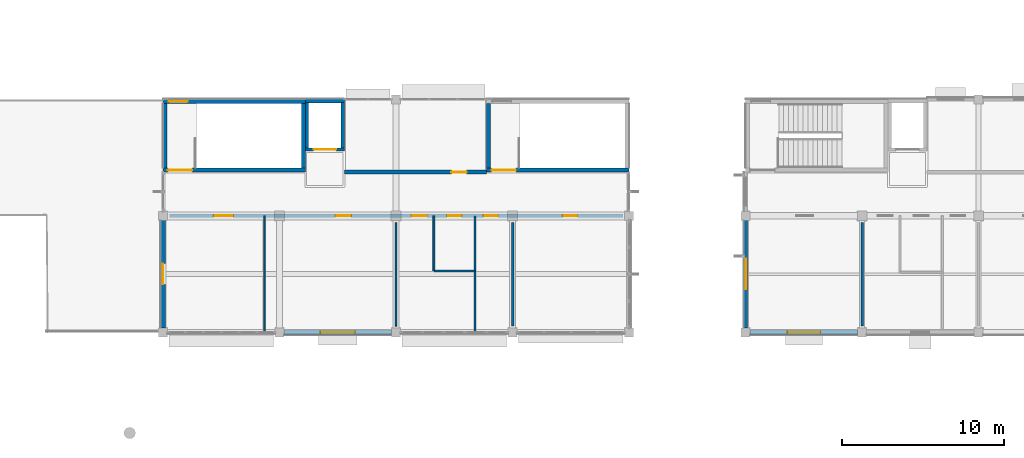
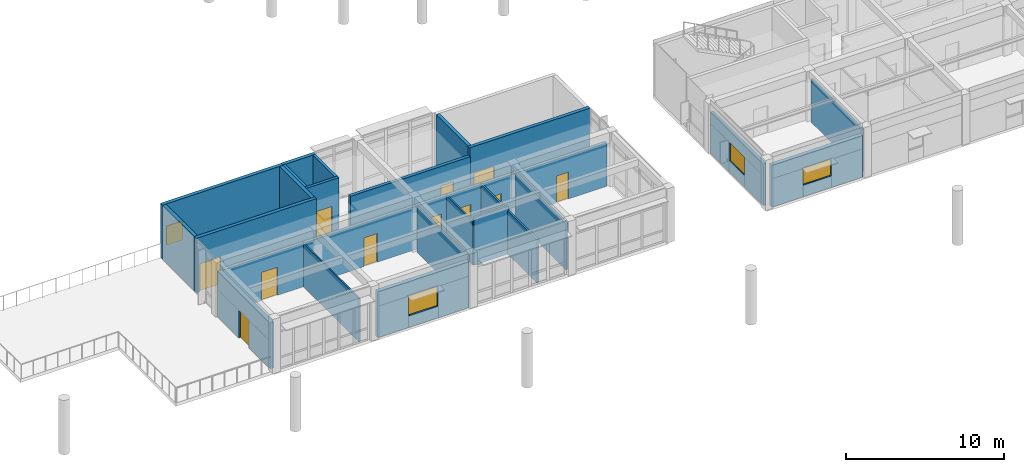
# One storey, part 18 of 41: 23 walls, 11 doors, 4 windows, 15 openings.
"""IFC4 building model written with IfcOpenShell, lengths in metres."""

from ifc_helpers import new_model, si_unit, direction, frame, frame_2d, origin, place, context, subcontext, project, spatial, rectangle, extrude, material, layer, layer_set, type_object, element, fill, save


model = new_model("IFC4")

# Units and contexts
model_context = context("Model", 3, precision=1e-05, world=origin(), true_north=direction((0.0, 1.0)))
body_context = subcontext(model_context, "Body", "Model", "MODEL_VIEW")
ifc_project = project(units=[si_unit("LENGTHUNIT", "METRE"), si_unit("AREAUNIT", "SQUARE_METRE"), si_unit("VOLUMEUNIT", "CUBIC_METRE"), si_unit("PLANEANGLEUNIT", "RADIAN"), si_unit("MASSUNIT", "GRAM", prefix="KILO")], contexts=[model_context])

# Site, building, storey
site_placement = place(None, origin())
site = spatial("IfcSite", under=ifc_project, at=site_placement, CompositionType="ELEMENT")
building_placement = place(site_placement, origin())
building = spatial("IfcBuilding", under=site, at=building_placement, Name="Namkhue Oval Health Centre", CompositionType="ELEMENT")
storey_placement = place(building_placement, frame((0.0, 0.0, 13.800048828125)))
storey = spatial("IfcBuildingStorey", under=building, at=storey_placement, Name="L03", CompositionType="ELEMENT", Elevation=13.800048828125)

# Wall, opening, window
ifc_material_1 = material(Name="Autoclaved aerated concrete blockwork M7.5", Category="masonry")
ifc_layer_1 = layer(ifc_material_1, 0.2099609375)
ifc_layer_set_1 = layer_set([ifc_layer_1], Name="Autoclaved aerated concrete blockwork M7.5")
wall_type_1 = type_object("IfcWallType", Name="EXTERIOR ENVELOPE WALL 210", PredefinedType="STANDARD", material=ifc_layer_set_1)
wall_1_placement = place(storey_placement, frame((93.60009765625, 21.3291015625, 0.0), z_axis=(0.0, 0.0, 1.0), x_axis=(0.0, -1.0, 0.0)))
wall_1 = element("IfcWall", 1, at=wall_1_placement, inside=storey, type_object=wall_type_1, Name="Volume V5 L03 Exterior Envelope Wall 148", PredefinedType="STANDARD", context=body_context, shape_type="SweptSolid", body=[
    extrude(rectangle(XDim=6.658203125, YDim=0.2099609375, at=frame_2d((3.3291015625, 0.0))), origin(), (0.0, 0.0, 1.0), 3.22998046875),
])
opening_1_placement = place(wall_1_placement, frame((2.37890625, 0.0, 0.89990234375)))
opening_1 = element("IfcOpeningElement", 2, at=opening_1_placement, cuts=wall_1, Name="Opening WN-18", PredefinedType="OPENING", context=body_context, shape_type="SweptSolid", body=[
    extrude(rectangle(XDim=1.89990234375, YDim=1.419921875, at=frame_2d((0.949951171875, 0.7099609375))), frame((0.0, 0.114990234375, 0.0), z_axis=(0.0, -1.0, 0.0), x_axis=(1.0, 0.0, 0.0)), (0.0, 0.0, 1.0), 0.22998046875),
])
ifc_material_2 = material(Name="Thermally broken low-E laminated double glazing", Category="glass")
window_type_1 = type_object("IfcWindowType", Name="EXTERIOR WINDOW 1900X1420", PartitioningType="SINGLE_PANEL", PredefinedType="WINDOW", material=ifc_material_2)
window_1_placement = place(opening_1_placement, origin())
window_1 = element("IfcWindow", 3, at=window_1_placement, inside=storey, type_object=window_type_1, Name="Volume V5 L03 Exterior Window 108", OverallHeight=1.419921875, OverallWidth=1.89990234375, PartitioningType="SINGLE_PANEL", PredefinedType="WINDOW", context=body_context, shape_type="SweptSolid", body=[
    extrude(rectangle(XDim=1.89990234375, YDim=1.419921875, at=frame_2d((0.949951171875, 0.7099609375))), frame((0.0, 0.030029296875, 0.0), z_axis=(0.0, -1.0, 0.0), x_axis=(1.0, 0.0, 0.0)), (0.0, 0.0, 1.0), 0.06005859375),
])
fill(opening_1, window_1)

ifc_layer_2 = layer(ifc_material_1, 0.280029296875)
ifc_layer_set_2 = layer_set([ifc_layer_2], Name="Autoclaved aerated concrete blockwork M7.5")
wall_type_2 = type_object("IfcWallType", Name="EXTERIOR ENVELOPE WALL 280", PredefinedType="STANDARD", material=ifc_layer_set_2)
wall_2_placement = place(storey_placement, frame((93.87109375, 14.39990234375, 0.0), z_axis=(0.0, 0.0, 1.0), x_axis=(1.0, 0.0, 0.0)))
wall_2 = element("IfcWall", 4, at=wall_2_placement, inside=storey, type_object=wall_type_2, Name="Volume V5 L03 Exterior Envelope Wall 139", PredefinedType="STANDARD", context=body_context, shape_type="SweptSolid", body=[
    extrude(rectangle(XDim=6.657958984375, YDim=0.280029296875, at=frame_2d((3.3291015625, 0.0))), origin(), (0.0, 0.0, 1.0), 3.22998046875),
])
opening_2_placement = place(wall_2_placement, frame((2.303955078125, 0.0, 0.89990234375)))
opening_2 = element("IfcOpeningElement", 5, at=opening_2_placement, cuts=wall_2, Name="Opening WN-10", PredefinedType="OPENING", context=body_context, shape_type="SweptSolid", body=[
    extrude(rectangle(XDim=2.050048828125, YDim=1.300048828125, at=frame_2d((1.02490234375, 0.64990234375))), frame((0.0, 0.14990234375, 0.0), z_axis=(0.0, -1.0, 0.0), x_axis=(1.0, 0.0, 0.0)), (0.0, 0.0, 1.0), 0.300048828125),
])
window_type_2 = type_object("IfcWindowType", Name="EXTERIOR WINDOW 2050X1300", PartitioningType="SINGLE_PANEL", PredefinedType="WINDOW", material=ifc_material_2)
window_2_placement = place(opening_2_placement, origin())
window_2 = element("IfcWindow", 6, at=window_2_placement, inside=storey, type_object=window_type_2, Name="Volume V5 L03 Exterior Window 100", OverallHeight=1.300048828125, OverallWidth=2.050048828125, PartitioningType="SINGLE_PANEL", PredefinedType="WINDOW", context=body_context, shape_type="SweptSolid", body=[
    extrude(rectangle(XDim=2.050048828125, YDim=1.300048828125, at=frame_2d((1.02490234375, 0.64990234375))), frame((0.0, 0.030029296875, 0.0), z_axis=(0.0, -1.0, 0.0), x_axis=(1.0, 0.0, 0.0)), (0.0, 0.0, 1.0), 0.06005859375),
])
fill(opening_2, window_2)

ifc_layer_3 = layer(ifc_material_1, 0.2900390625)
ifc_layer_set_3 = layer_set([ifc_layer_3], Name="Autoclaved aerated concrete blockwork M7.5")
wall_type_3 = type_object("IfcWallType", Name="EXTERIOR ENVELOPE WALL 290", PredefinedType="STANDARD", material=ifc_layer_set_3)
wall_3_placement = place(storey_placement, frame((65.071044921875, 14.39990234375, 0.0), z_axis=(0.0, 0.0, 1.0), x_axis=(1.0, 0.0, 0.0)))
wall_3 = element("IfcWall", 7, at=wall_3_placement, inside=storey, type_object=wall_type_3, Name="Volume V4 L03 Exterior Envelope Wall 108", PredefinedType="STANDARD", context=body_context, shape_type="SweptSolid", body=[
    extrude(rectangle(XDim=6.657958984375, YDim=0.2900390625, at=frame_2d((3.3291015625, 0.0))), origin(), (0.0, 0.0, 1.0), 3.550048828125),
])
opening_3_placement = place(wall_3_placement, frame((2.25390625, 0.0, 0.89990234375)))
opening_3 = element("IfcOpeningElement", 8, at=opening_3_placement, cuts=wall_3, Name="Opening WN-29", PredefinedType="OPENING", context=body_context, shape_type="SweptSolid", body=[
    extrude(rectangle(XDim=2.14990234375, YDim=1.5400390625, at=frame_2d((1.074951171875, 0.77001953125))), frame((0.0, 0.155029296875, 0.0), z_axis=(0.0, -1.0, 0.0), x_axis=(1.0, 0.0, 0.0)), (0.0, 0.0, 1.0), 0.31005859375),
])
window_type_3 = type_object("IfcWindowType", Name="EXTERIOR WINDOW 2150X1540", PartitioningType="SINGLE_PANEL", PredefinedType="WINDOW", material=ifc_material_2)
window_3_placement = place(opening_3_placement, origin())
window_3 = element("IfcWindow", 9, at=window_3_placement, inside=storey, type_object=window_type_3, Name="Volume V4 L03 Exterior Window 74", OverallHeight=1.5400390625, OverallWidth=2.14990234375, PartitioningType="SINGLE_PANEL", PredefinedType="WINDOW", context=body_context, shape_type="SweptSolid", body=[
    extrude(rectangle(XDim=2.14990234375, YDim=1.5400390625, at=frame_2d((1.074951171875, 0.77001953125))), frame((0.0, 0.030029296875, 0.0), z_axis=(0.0, -1.0, 0.0), x_axis=(1.0, 0.0, 0.0)), (0.0, 0.0, 1.0), 0.06005859375),
])
fill(opening_3, window_3)

# Wall, opening, door
ifc_layer_4 = layer(ifc_material_1, 0.300048828125)
ifc_layer_set_4 = layer_set([ifc_layer_4], Name="Autoclaved aerated concrete blockwork M7.5")
wall_type_4 = type_object("IfcWallType", Name="EXTERIOR ENVELOPE WALL 300", PredefinedType="STANDARD", material=ifc_layer_set_4)
wall_4_placement = place(storey_placement, frame((57.60009765625, 21.3291015625, 0.0), z_axis=(0.0, 0.0, 1.0), x_axis=(0.0, -1.0, 0.0)))
wall_4 = element("IfcWall", 10, at=wall_4_placement, inside=storey, type_object=wall_type_4, Name="Volume V4 L03 Exterior Envelope Wall 109", PredefinedType="STANDARD", context=body_context, shape_type="SweptSolid", body=[
    extrude(rectangle(XDim=6.658203125, YDim=0.300048828125, at=frame_2d((3.3291015625, 0.0))), origin(), (0.0, 0.0, 1.0), 3.550048828125),
])
opening_4_placement = place(wall_4_placement, frame((2.68896484375, 0.0, 0.0)))
opening_4 = element("IfcOpeningElement", 11, at=opening_4_placement, cuts=wall_4, Name="Opening TD-03", PredefinedType="OPENING", context=body_context, shape_type="SweptSolid", body=[
    extrude(rectangle(XDim=1.280029296875, YDim=2.14990234375, at=frame_2d((0.64013671875, 1.074951171875))), frame((0.0, 0.159912109375, 0.0), z_axis=(0.0, -1.0, 0.0), x_axis=(1.0, 0.0, 0.0)), (0.0, 0.0, 1.0), 0.320068359375),
])
ifc_material_3 = material(Name="Anodised aluminium glazed entrance door", Category="aluminium")
door_type_1 = type_object("IfcDoorType", Name="TERRACE DOOR 1280X2150", OperationType="NOTDEFINED", PredefinedType="DOOR", material=ifc_material_3)
door_1_placement = place(opening_4_placement, frame((1.280029296875, 0.0, 0.0), z_axis=(0.0, 0.0, 1.0), x_axis=(-1.0, 0.0, 0.0)))
door_1 = element("IfcDoor", 12, at=door_1_placement, inside=storey, type_object=door_type_1, Name="Volume V4 L03 Roof Terrace Door 10", OperationType="SINGLE_SWING_LEFT", OverallHeight=2.14990234375, OverallWidth=1.280029296875, PredefinedType="DOOR", context=body_context, shape_type="SweptSolid", body=[
    extrude(rectangle(XDim=1.280029296875, YDim=2.14990234375, at=frame_2d((0.64013671875, 1.074951171875))), frame((0.0, 0.02490234375, 0.0), z_axis=(0.0, -1.0, 0.0), x_axis=(1.0, 0.0, 0.0)), (0.0, 0.0, 1.0), 0.050048828125),
])
fill(opening_4, door_1)

# Wall, openings, doors
ifc_material_4 = material(Name="Lead-lined barium plasterboard radiation partition", Category="gypsum")
ifc_layer_5 = layer(ifc_material_4, 0.235107421875)
ifc_layer_set_5 = layer_set([ifc_layer_5], Name="Lead-lined barium plasterboard radiation partition")
wall_type_5 = type_object("IfcWallType", Name="FIRE PARTITION WALL 235", PredefinedType="PARTITIONING", material=ifc_layer_set_5)
wall_5_placement = place(storey_placement, frame((57.989013671875, 21.60009765625, 0.0), z_axis=(0.0, 0.0, 1.0), x_axis=(1.0, 0.0, 0.0)))
wall_5 = element("IfcWall", 13, at=wall_5_placement, inside=storey, type_object=wall_type_5, Name="Volume V4 L03 Clinical Partition Wall 196", PredefinedType="PARTITIONING", context=body_context, shape_type="SweptSolid", body=[
    extrude(rectangle(XDim=28.02197265625, YDim=0.235107421875, at=frame_2d((14.010986328125, 0.0))), origin(), (0.0, 0.0, 1.0), 3.349853515625),
])
opening_5_placement = place(wall_5_placement, frame((2.758056640625, 0.0, 0.0)))
opening_5 = element("IfcOpeningElement", 14, at=opening_5_placement, cuts=wall_5, Name="Opening CD-18", PredefinedType="OPENING", context=body_context, shape_type="SweptSolid", body=[
    extrude(rectangle(XDim=1.179931640625, YDim=2.179931640625, at=frame_2d((0.58984375, 1.08984375))), frame((0.0, 0.12744140625, 0.0), z_axis=(0.0, -1.0, 0.0), x_axis=(1.0, 0.0, 0.0)), (0.0, 0.0, 1.0), 0.255126953125),
])
opening_6_placement = place(wall_5_placement, frame((10.27001953125, 0.0, 0.0)))
opening_6 = element("IfcOpeningElement", 15, at=opening_6_placement, cuts=wall_5, Name="Opening CD-19", PredefinedType="OPENING", context=body_context, shape_type="SweptSolid", body=[
    extrude(rectangle(XDim=0.9599609375, YDim=2.22998046875, at=frame_2d((0.47998046875, 1.114990234375))), frame((0.0, 0.12744140625, 0.0), z_axis=(0.0, -1.0, 0.0), x_axis=(1.0, 0.0, 0.0)), (0.0, 0.0, 1.0), 0.255126953125),
])
opening_7_placement = place(wall_5_placement, frame((14.981201171875, 0.0, 0.0)))
opening_7 = element("IfcOpeningElement", 16, at=opening_7_placement, cuts=wall_5, Name="Opening CD-02", PredefinedType="OPENING", context=body_context, shape_type="SweptSolid", body=[
    extrude(rectangle(XDim=0.93994140625, YDim=2.080078125, at=frame_2d((0.469970703125, 1.0400390625))), frame((0.0, 0.12744140625, 0.0), z_axis=(0.0, -1.0, 0.0), x_axis=(1.0, 0.0, 0.0)), (0.0, 0.0, 1.0), 0.255126953125),
])
opening_8_placement = place(wall_5_placement, frame((17.171142578125, 0.0, 0.0)))
opening_8 = element("IfcOpeningElement", 17, at=opening_8_placement, cuts=wall_5, Name="Opening CD-01", PredefinedType="OPENING", context=body_context, shape_type="SweptSolid", body=[
    extrude(rectangle(XDim=0.89990234375, YDim=2.080078125, at=frame_2d((0.449951171875, 1.0400390625))), frame((0.0, 0.12744140625, 0.0), z_axis=(0.0, -1.0, 0.0), x_axis=(1.0, 0.0, 0.0)), (0.0, 0.0, 1.0), 0.255126953125),
])
opening_9_placement = place(wall_5_placement, frame((19.401123046875, 0.0, 0.0)))
opening_9 = element("IfcOpeningElement", 18, at=opening_9_placement, cuts=wall_5, Name="Opening CD-07", PredefinedType="OPENING", context=body_context, shape_type="SweptSolid", body=[
    extrude(rectangle(XDim=0.89990234375, YDim=2.1298828125, at=frame_2d((0.449951171875, 1.06494140625))), frame((0.0, 0.12744140625, 0.0), z_axis=(0.0, -1.0, 0.0), x_axis=(1.0, 0.0, 0.0)), (0.0, 0.0, 1.0), 0.255126953125),
])
opening_10_placement = place(wall_5_placement, frame((24.318115234375, 0.0, 0.0)))
opening_10 = element("IfcOpeningElement", 19, at=opening_10_placement, cuts=wall_5, Name="Opening CD-01", PredefinedType="OPENING", context=body_context, shape_type="SweptSolid", body=[
    extrude(rectangle(XDim=0.89990234375, YDim=2.080078125, at=frame_2d((0.449951171875, 1.0400390625))), frame((0.0, 0.12744140625, 0.0), z_axis=(0.0, -1.0, 0.0), x_axis=(1.0, 0.0, 0.0)), (0.0, 0.0, 1.0), 0.255126953125),
])
ifc_material_5 = material(Name="High-pressure laminate timber clinical door", Category="wood")
door_type_2 = type_object("IfcDoorType", Name="CLINICAL DOOR 1180X2180", OperationType="NOTDEFINED", PredefinedType="DOOR", material=ifc_material_5)
door_2_placement = place(opening_5_placement, frame((1.179931640625, 0.0, 0.0), z_axis=(0.0, 0.0, 1.0), x_axis=(-1.0, 0.0, 0.0)))
door_2 = element("IfcDoor", 20, at=door_2_placement, inside=storey, type_object=door_type_2, Name="Volume V4 L03 Surgical Terrace Staff Lounge Door 169", OperationType="SINGLE_SWING_RIGHT", OverallHeight=2.179931640625, OverallWidth=1.179931640625, PredefinedType="DOOR", context=body_context, shape_type="SweptSolid", body=[
    extrude(rectangle(XDim=1.179931640625, YDim=2.179931640625, at=frame_2d((0.58984375, 1.08984375))), frame((0.0, 0.02490234375, 0.0), z_axis=(0.0, -1.0, 0.0), x_axis=(1.0, 0.0, 0.0)), (0.0, 0.0, 1.0), 0.050048828125),
])
fill(opening_5, door_2)
door_type_3 = type_object("IfcDoorType", Name="CLINICAL DOOR 900X2080", OperationType="NOTDEFINED", PredefinedType="DOOR", material=ifc_material_5)
door_3_placement = place(opening_8_placement, frame((0.89990234375, 0.0, 0.0), z_axis=(0.0, 0.0, 1.0), x_axis=(-1.0, 0.0, 0.0)))
door_3 = element("IfcDoor", 21, at=door_3_placement, inside=storey, type_object=door_type_3, Name="Volume V4 L03 Accessible WC Door 172", OperationType="SINGLE_SWING_LEFT", OverallHeight=2.080078125, OverallWidth=0.89990234375, PredefinedType="DOOR", context=body_context, shape_type="SweptSolid", body=[
    extrude(rectangle(XDim=0.89990234375, YDim=2.080078125, at=frame_2d((0.449951171875, 1.0400390625))), frame((0.0, 0.02490234375, 0.0), z_axis=(0.0, -1.0, 0.0), x_axis=(1.0, 0.0, 0.0)), (0.0, 0.0, 1.0), 0.050048828125),
])
fill(opening_8, door_3)
door_4_placement = place(opening_10_placement, frame((0.89990234375, 0.0, 0.0), z_axis=(0.0, 0.0, 1.0), x_axis=(-1.0, 0.0, 0.0)))
door_4 = element("IfcDoor", 22, at=door_4_placement, inside=storey, type_object=door_type_3, Name="Volume V4 L03 Sterile Bulk Medical Store Door 174", OperationType="SINGLE_SWING_LEFT", OverallHeight=2.080078125, OverallWidth=0.89990234375, PredefinedType="DOOR", context=body_context, shape_type="SweptSolid", body=[
    extrude(rectangle(XDim=0.89990234375, YDim=2.080078125, at=frame_2d((0.449951171875, 1.0400390625))), frame((0.0, 0.02490234375, 0.0), z_axis=(0.0, -1.0, 0.0), x_axis=(1.0, 0.0, 0.0)), (0.0, 0.0, 1.0), 0.050048828125),
])
fill(opening_10, door_4)
door_type_4 = type_object("IfcDoorType", Name="CLINICAL DOOR 900X2130", OperationType="NOTDEFINED", PredefinedType="DOOR", material=ifc_material_5)
door_5_placement = place(opening_9_placement, frame((0.89990234375, 0.0, 0.0), z_axis=(0.0, 0.0, 1.0), x_axis=(-1.0, 0.0, 0.0)))
door_5 = element("IfcDoor", 23, at=door_5_placement, inside=storey, type_object=door_type_4, Name="Volume V4 L03 Staff Washroom Door 173", OperationType="SINGLE_SWING_RIGHT", OverallHeight=2.1298828125, OverallWidth=0.89990234375, PredefinedType="DOOR", context=body_context, shape_type="SweptSolid", body=[
    extrude(rectangle(XDim=0.89990234375, YDim=2.1298828125, at=frame_2d((0.449951171875, 1.06494140625))), frame((0.0, 0.02490234375, 0.0), z_axis=(0.0, -1.0, 0.0), x_axis=(1.0, 0.0, 0.0)), (0.0, 0.0, 1.0), 0.050048828125),
])
fill(opening_9, door_5)
door_type_5 = type_object("IfcDoorType", Name="CLINICAL DOOR 940X2080", OperationType="NOTDEFINED", PredefinedType="DOOR", material=ifc_material_5)
door_6_placement = place(opening_7_placement, frame((0.93994140625, 0.0, 0.0), z_axis=(0.0, 0.0, 1.0), x_axis=(-1.0, 0.0, 0.0)))
door_6 = element("IfcDoor", 24, at=door_6_placement, inside=storey, type_object=door_type_5, Name="Volume V4 L03 Surgical Clean Instrument Utility Door 171", OperationType="SINGLE_SWING_LEFT", OverallHeight=2.080078125, OverallWidth=0.93994140625, PredefinedType="DOOR", context=body_context, shape_type="SweptSolid", body=[
    extrude(rectangle(XDim=0.93994140625, YDim=2.080078125, at=frame_2d((0.469970703125, 1.0400390625))), frame((0.0, 0.02490234375, 0.0), z_axis=(0.0, -1.0, 0.0), x_axis=(1.0, 0.0, 0.0)), (0.0, 0.0, 1.0), 0.050048828125),
])
fill(opening_7, door_6)
door_type_6 = type_object("IfcDoorType", Name="CLINICAL DOOR 960X2230", OperationType="NOTDEFINED", PredefinedType="DOOR", material=ifc_material_5)
door_7_placement = place(opening_6_placement, frame((0.9599609375, 0.0, 0.0), z_axis=(0.0, 0.0, 1.0), x_axis=(-1.0, 0.0, 0.0)))
door_7 = element("IfcDoor", 25, at=door_7_placement, inside=storey, type_object=door_type_6, Name="Volume V4 L03 Surgical HEPA Air Handling Plant Door 170", OperationType="SINGLE_SWING_LEFT", OverallHeight=2.22998046875, OverallWidth=0.9599609375, PredefinedType="DOOR", context=body_context, shape_type="SweptSolid", body=[
    extrude(rectangle(XDim=0.9599609375, YDim=2.22998046875, at=frame_2d((0.47998046875, 1.114990234375))), frame((0.0, 0.02490234375, 0.0), z_axis=(0.0, -1.0, 0.0), x_axis=(1.0, 0.0, 0.0)), (0.0, 0.0, 1.0), 0.050048828125),
])
fill(opening_6, door_7)

# Wall, opening, door
wall_6_placement = place(storey_placement, frame((68.820068359375, 24.300048828125, 0.0), z_axis=(0.0, 0.0, 1.0), x_axis=(1.0, 0.0, 0.0)))
wall_6 = element("IfcWall", 26, at=wall_6_placement, inside=storey, type_object=wall_type_5, Name="Volume V4 L03 Clinical Partition Wall 203", PredefinedType="PARTITIONING", context=body_context, shape_type="SweptSolid", body=[
    extrude(rectangle(XDim=8.760009765625, YDim=0.235107421875, at=frame_2d((4.3798828125, 0.0))), origin(), (0.0, 0.0, 1.0), 3.599853515625),
])
opening_11_placement = place(wall_6_placement, frame((6.594970703125, 0.0, 0.0)))
opening_11 = element("IfcOpeningElement", 27, at=opening_11_placement, cuts=wall_6, Name="Opening CD-02", PredefinedType="OPENING", context=body_context, shape_type="SweptSolid", body=[
    extrude(rectangle(XDim=0.93994140625, YDim=2.080078125, at=frame_2d((0.469970703125, 1.0400390625))), frame((0.0, 0.12744140625, 0.0), z_axis=(0.0, -1.0, 0.0), x_axis=(1.0, 0.0, 0.0)), (0.0, 0.0, 1.0), 0.255126953125),
])
door_8_placement = place(opening_11_placement, origin())
door_8 = element("IfcDoor", 28, at=door_8_placement, inside=storey, type_object=door_type_5, Name="Volume V4 L03 Day Surgery Terrace Lounge Door 175", OperationType="SINGLE_SWING_RIGHT", OverallHeight=2.080078125, OverallWidth=0.93994140625, PredefinedType="DOOR", context=body_context, shape_type="SweptSolid", body=[
    extrude(rectangle(XDim=0.93994140625, YDim=2.080078125, at=frame_2d((0.469970703125, 1.0400390625))), frame((0.0, 0.02490234375, 0.0), z_axis=(0.0, -1.0, 0.0), x_axis=(1.0, 0.0, 0.0)), (0.0, 0.0, 1.0), 0.050048828125),
])
fill(opening_11, door_8)

# Walls
ifc_material_6 = material(Name="Gypsum plasterboard acoustic partition", Category="gypsum")
ifc_layer_6 = layer(ifc_material_6, 0.10009765625)
ifc_layer_set_6 = layer_set([ifc_layer_6], Name="Gypsum plasterboard acoustic partition")
wall_type_6 = type_object("IfcWallType", Name="INTERIOR PARTITION WALL 100", PredefinedType="PARTITIONING", material=ifc_layer_set_6)
wall_7_placement = place(storey_placement, frame((63.864013671875, 14.43994140625, 0.0), z_axis=(0.0, 0.0, 1.0), x_axis=(0.0, 1.0, 0.0)))
element("IfcWall", 29, at=wall_7_placement, inside=storey, type_object=wall_type_6, Name="Volume V4 L03 Clinical Partition Wall 197", PredefinedType="PARTITIONING", context=body_context, shape_type="SweptSolid", body=[
    extrude(rectangle(XDim=7.16015625, YDim=0.10009765625, at=frame_2d((3.580078125, 0.0))), origin(), (0.0, 0.0, 1.0), 3.349853515625),
])
ifc_layer_7 = layer(ifc_material_6, 0.110107421875)
ifc_layer_set_7 = layer_set([ifc_layer_7], Name="Gypsum plasterboard acoustic partition")
wall_type_7 = type_object("IfcWallType", Name="INTERIOR PARTITION WALL 110", PredefinedType="PARTITIONING", material=ifc_layer_set_7)
wall_8_placement = place(storey_placement, frame((72.0, 14.788818359375, 0.0), z_axis=(0.0, 0.0, 1.0), x_axis=(0.0, 1.0, 0.0)))
element("IfcWall", 30, at=wall_8_placement, inside=storey, type_object=wall_type_7, Name="Volume V4 L03 Clinical Partition Wall 198", PredefinedType="PARTITIONING", context=body_context, shape_type="SweptSolid", body=[
    extrude(rectangle(XDim=6.386962890625, YDim=0.110107421875, at=frame_2d((3.193359375, 0.0))), origin(), (0.0, 0.0, 1.0), 3.599853515625),
])
ifc_layer_8 = layer(ifc_material_6, 0.1201171875)
ifc_layer_set_8 = layer_set([ifc_layer_8], Name="Gypsum plasterboard acoustic partition")
wall_type_8 = type_object("IfcWallType", Name="INTERIOR PARTITION WALL 120", PredefinedType="PARTITIONING", material=ifc_layer_set_8)
wall_9_placement = place(storey_placement, frame((74.340087890625, 18.199951171875, 0.0), z_axis=(0.0, 0.0, 1.0), x_axis=(0.0, 1.0, 0.0)))
element("IfcWall", 31, at=wall_9_placement, inside=storey, type_object=wall_type_8, Name="Volume V4 L03 Clinical Partition Wall 199", PredefinedType="PARTITIONING", context=body_context, shape_type="SweptSolid", body=[
    extrude(rectangle(XDim=3.400146484375, YDim=0.1201171875, at=frame_2d((1.7001953125, 0.0))), origin(), (0.0, 0.0, 1.0), 3.349853515625),
])
ifc_layer_9 = layer(ifc_material_6, 0.1298828125)
ifc_layer_set_9 = layer_set([ifc_layer_9], Name="Gypsum plasterboard acoustic partition")
wall_type_9 = type_object("IfcWallType", Name="INTERIOR PARTITION WALL 130", PredefinedType="PARTITIONING", material=ifc_layer_set_9)
wall_10_placement = place(storey_placement, frame((74.340087890625, 18.199951171875, 0.0), z_axis=(0.0, 0.0, 1.0), x_axis=(1.0, 0.0, 0.0)))
element("IfcWall", 32, at=wall_10_placement, inside=storey, type_object=wall_type_9, Name="Volume V4 L03 Clinical Partition Wall 200", PredefinedType="PARTITIONING", context=body_context, shape_type="SweptSolid", body=[
    extrude(rectangle(XDim=2.539794921875, YDim=0.1298828125, at=frame_2d((1.27001953125, 0.0))), origin(), (0.0, 0.0, 1.0), 3.699951171875),
])
ifc_layer_10 = layer(ifc_material_6, 0.139892578125)
ifc_layer_set_10 = layer_set([ifc_layer_10], Name="Gypsum plasterboard acoustic partition")
wall_type_10 = type_object("IfcWallType", Name="INTERIOR PARTITION WALL 140", PredefinedType="PARTITIONING", material=ifc_layer_set_10)
wall_11_placement = place(storey_placement, frame((76.8798828125, 14.43994140625, 0.0), z_axis=(0.0, 0.0, 1.0), x_axis=(0.0, 1.0, 0.0)))
element("IfcWall", 33, at=wall_11_placement, inside=storey, type_object=wall_type_10, Name="Volume V4 L03 Clinical Partition Wall 201", PredefinedType="PARTITIONING", context=body_context, shape_type="SweptSolid", body=[
    extrude(rectangle(XDim=7.16015625, YDim=0.139892578125, at=frame_2d((3.580078125, 0.0))), origin(), (0.0, 0.0, 1.0), 3.349853515625),
])
ifc_layer_11 = layer(ifc_material_6, 0.14990234375)
ifc_layer_set_11 = layer_set([ifc_layer_11], Name="Gypsum plasterboard acoustic partition")
wall_type_11 = type_object("IfcWallType", Name="INTERIOR PARTITION WALL 150", PredefinedType="PARTITIONING", material=ifc_layer_set_11)
wall_12_placement = place(storey_placement, frame((79.199951171875, 14.788818359375, 0.0), z_axis=(0.0, 0.0, 1.0), x_axis=(0.0, 1.0, 0.0)))
element("IfcWall", 34, at=wall_12_placement, inside=storey, type_object=wall_type_11, Name="Volume V4 L03 Clinical Partition Wall 202", PredefinedType="PARTITIONING", context=body_context, shape_type="SweptSolid", body=[
    extrude(rectangle(XDim=6.386962890625, YDim=0.14990234375, at=frame_2d((3.193359375, 0.0))), origin(), (0.0, 0.0, 1.0), 3.599853515625),
])
ifc_layer_12 = layer(ifc_material_6, 0.159912109375)
ifc_layer_set_12 = layer_set([ifc_layer_12], Name="Gypsum plasterboard acoustic partition")
wall_type_12 = type_object("IfcWallType", Name="INTERIOR PARTITION WALL 160", PredefinedType="PARTITIONING", material=ifc_layer_set_12)
wall_13_placement = place(storey_placement, frame((100.800048828125, 14.788818359375, 0.0), z_axis=(0.0, 0.0, 1.0), x_axis=(0.0, 1.0, 0.0)))
element("IfcWall", 35, at=wall_13_placement, inside=storey, type_object=wall_type_12, Name="Volume V5 L03 Clinical Partition Wall 238", PredefinedType="PARTITIONING", context=body_context, shape_type="SweptSolid", body=[
    extrude(rectangle(XDim=6.386962890625, YDim=0.159912109375, at=frame_2d((3.193359375, 0.0))), origin(), (0.0, 0.0, 1.0), 3.329833984375),
])

# Wall, opening, window
ifc_material_7 = material(Name="Reinforced concrete C35/45 (TCVN B40)", Category="concrete")
ifc_layer_13 = layer(ifc_material_7, 0.25)
ifc_layer_set_13 = layer_set([ifc_layer_13], Name="Reinforced concrete C35/45 (TCVN B40)")
wall_type_13 = type_object("IfcWallType", Name="SHEAR CORE WALL EXT 250", PredefinedType="SHEAR", material=ifc_layer_set_13)
wall_14_placement = place(storey_placement, frame((66.39990234375, 28.675048828125, 0.0), z_axis=(0.0, 0.0, 1.0), x_axis=(-1.0, 0.0, 0.0)))
wall_14 = element("IfcWall", 36, at=wall_14_placement, inside=storey, type_object=wall_type_13, Name="Core SC-07 L03 Shear Wall N", PredefinedType="SHEAR", context=body_context, shape_type="SweptSolid", body=[
    extrude(rectangle(XDim=8.7998046875, YDim=0.25, at=frame_2d((4.39990234375, 0.0))), origin(), (0.0, 0.0, 1.0), 4.199951171875),
])
opening_12_placement = place(wall_14_placement, frame((7.27001953125, 0.0, 0.919921875)))
opening_12 = element("IfcOpeningElement", 37, at=opening_12_placement, cuts=wall_14, Name="Opening SWN-01", PredefinedType="OPENING", context=body_context, shape_type="SweptSolid", body=[
    extrude(rectangle(XDim=1.179931640625, YDim=1.47998046875, at=frame_2d((0.58984375, 0.739990234375))), frame((0.0, 0.135009765625, 0.0), z_axis=(0.0, -1.0, 0.0), x_axis=(1.0, 0.0, 0.0)), (0.0, 0.0, 1.0), 0.27001953125),
])
ifc_material_8 = material(Name="Fire-rated insulated safety double glazing", Category="glass")
window_type_4 = type_object("IfcWindowType", Name="EXTERIOR WINDOW STAIRWELL 1180X1480", PartitioningType="SINGLE_PANEL", PredefinedType="WINDOW", material=ifc_material_8)
window_4_placement = place(opening_12_placement, origin())
window_4 = element("IfcWindow", 38, at=window_4_placement, inside=storey, type_object=window_type_4, Name="Stair ST-07 L03 Stairwell Daylight Window", OverallHeight=1.47998046875, OverallWidth=1.179931640625, PartitioningType="SINGLE_PANEL", PredefinedType="WINDOW", context=body_context, shape_type="SweptSolid", body=[
    extrude(rectangle(XDim=1.179931640625, YDim=1.47998046875, at=frame_2d((0.58984375, 0.739990234375))), frame((0.0, 0.030029296875, 0.0), z_axis=(0.0, -1.0, 0.0), x_axis=(1.0, 0.0, 0.0)), (0.0, 0.0, 1.0), 0.06005859375),
])
fill(opening_12, window_4)

# Walls
wall_15_placement = place(storey_placement, frame((57.72509765625, 28.550048828125, 0.0), z_axis=(0.0, 0.0, 1.0), x_axis=(0.0, -1.0, 0.0)))
element("IfcWall", 39, at=wall_15_placement, inside=storey, type_object=wall_type_13, Name="Core SC-07 L03 Shear Wall W", PredefinedType="SHEAR", context=body_context, shape_type="SweptSolid", body=[
    extrude(rectangle(XDim=4.0, YDim=0.25, at=frame_2d((2.0, 0.0))), origin(), (0.0, 0.0, 1.0), 4.199951171875),
])
wall_16_placement = place(storey_placement, frame((68.800048828125, 28.699951171875, 0.0), z_axis=(0.0, 0.0, 1.0), x_axis=(-1.0, 0.0, 0.0)))
element("IfcWall", 40, at=wall_16_placement, inside=storey, type_object=wall_type_13, Name="Lift LF-05 L03 Shaft Wall N", PredefinedType="SHEAR", context=body_context, shape_type="SweptSolid", body=[
    extrude(rectangle(XDim=2.400146484375, YDim=0.25, at=frame_2d((1.2001953125, 0.0))), origin(), (0.0, 0.0, 1.0), 4.199951171875),
])

# Wall, opening, door
ifc_layer_14 = layer(ifc_material_7, 0.199951171875)
ifc_layer_set_14 = layer_set([ifc_layer_14], Name="Reinforced concrete C35/45 (TCVN B40)")
wall_type_14 = type_object("IfcWallType", Name="SHEAR CORE WALL INT 200", PredefinedType="SHEAR", material=ifc_layer_set_14)
wall_17_placement = place(storey_placement, frame((66.39990234375, 25.699951171875, 0.0), z_axis=(0.0, 0.0, 1.0), x_axis=(1.0, 0.0, 0.0)))
wall_17 = element("IfcWall", 41, at=wall_17_placement, inside=storey, type_object=wall_type_14, Name="Lift LF-05 L03 Shaft Wall S", PredefinedType="SHEAR", context=body_context, shape_type="SweptSolid", body=[
    extrude(rectangle(XDim=2.400146484375, YDim=0.199951171875, at=frame_2d((1.2001953125, 0.0))), origin(), (0.0, 0.0, 1.0), 4.199951171875),
])
opening_13_placement = place(wall_17_placement, frame((0.5, 0.0, 0.0)))
opening_13 = element("IfcOpeningElement", 42, at=opening_13_placement, cuts=wall_17, Name="Opening LD-01", PredefinedType="OPENING", context=body_context, shape_type="SweptSolid", body=[
    extrude(rectangle(XDim=1.39990234375, YDim=2.14990234375, at=frame_2d((0.699951171875, 1.074951171875))), frame((0.0, 0.10986328125, 0.0), z_axis=(0.0, -1.0, 0.0), x_axis=(1.0, 0.0, 0.0)), (0.0, 0.0, 1.0), 0.219970703125),
])
ifc_material_9 = material(Name="Powder-coated steel fire door assembly", Category="steel")
door_type_7 = type_object("IfcDoorType", Name="LIFT LANDING DOOR STRETCHER 1400X2150", OperationType="DOUBLE_DOOR_SLIDING", PredefinedType="DOOR", material=ifc_material_9)
door_9_placement = place(opening_13_placement, frame((1.39990234375, 0.0, 0.0), z_axis=(0.0, 0.0, 1.0), x_axis=(-1.0, 0.0, 0.0)))
door_9 = element("IfcDoor", 43, at=door_9_placement, inside=storey, type_object=door_type_7, Name="Lift LF-05 L03 Sliding Landing Door", OperationType="DOUBLE_DOOR_SLIDING", OverallHeight=2.14990234375, OverallWidth=1.39990234375, PredefinedType="DOOR", context=body_context, shape_type="SweptSolid", body=[
    extrude(rectangle(XDim=1.39990234375, YDim=2.14990234375, at=frame_2d((0.699951171875, 1.074951171875))), frame((0.0, 0.02490234375, 0.0), z_axis=(0.0, -1.0, 0.0), x_axis=(1.0, 0.0, 0.0)), (0.0, 0.0, 1.0), 0.050048828125),
])
fill(opening_13, door_9)

# Walls
for number, where, z_axis, x_axis, name in (
    (44, (68.699951171875, 25.800048828125, 0.0), (0.0, 0.0, 1.0), (0.0, 1.0, 0.0), "Lift LF-05 L03 Shaft Wall E"),
    (45, (66.5, 28.60009765625, 0.0), (0.0, 0.0, 1.0), (0.0, -1.0, 0.0), "Lift LF-05 L03 Shaft Wall W"),
):
    element("IfcWall", number, at=place(storey_placement, frame(where, z_axis=z_axis, x_axis=x_axis)), inside=storey, type_object=wall_type_14, Name=name, PredefinedType="SHEAR", context=body_context, shape_type="SweptSolid", body=[
        extrude(rectangle(XDim=2.800048828125, YDim=0.199951171875, at=frame_2d((1.39990234375, 0.0))), origin(), (0.0, 0.0, 1.0), 4.199951171875),
    ])

# Wall, opening, door
ifc_layer_15 = layer(ifc_material_7, 0.25)
ifc_layer_set_15 = layer_set([ifc_layer_15], Name="Reinforced concrete C35/45 (TCVN B40)")
wall_type_15 = type_object("IfcWallType", Name="SHEAR CORE WALL INT 250", PredefinedType="SHEAR", material=ifc_layer_set_15)
wall_18_placement = place(storey_placement, frame((57.60009765625, 24.425048828125, 0.0), z_axis=(0.0, 0.0, 1.0), x_axis=(1.0, 0.0, 0.0)))
wall_18 = element("IfcWall", 46, at=wall_18_placement, inside=storey, type_object=wall_type_15, Name="Core SC-07 L03 Shear Wall S", PredefinedType="SHEAR", context=body_context, shape_type="SweptSolid", body=[
    extrude(rectangle(XDim=8.7998046875, YDim=0.25, at=frame_2d((4.39990234375, 0.0))), origin(), (0.0, 0.0, 1.0), 4.199951171875),
])
opening_14_placement = place(wall_18_placement, frame((0.300048828125, 0.0, 0.0)))
opening_14 = element("IfcOpeningElement", 47, at=opening_14_placement, cuts=wall_18, Name="Opening SD-I1", PredefinedType="OPENING", context=body_context, shape_type="SweptSolid", body=[
    extrude(rectangle(XDim=1.5, YDim=2.14990234375, at=frame_2d((0.75, 1.074951171875))), frame((0.0, 0.135009765625, 0.0), z_axis=(0.0, -1.0, 0.0), x_axis=(1.0, 0.0, 0.0)), (0.0, 0.0, 1.0), 0.27001953125),
])
door_type_8 = type_object("IfcDoorType", Name="CLINICAL DOOR STAIR CORE 1500X2150", OperationType="DOUBLE_DOOR_SINGLE_SWING", PredefinedType="DOOR", material=ifc_material_9)
door_10_placement = place(opening_14_placement, origin())
door_10 = element("IfcDoor", 48, at=door_10_placement, inside=storey, type_object=door_type_8, Name="Stair ST-07 L03 Stair Enclosure Fire Door", OperationType="DOUBLE_DOOR_SINGLE_SWING", OverallHeight=2.14990234375, OverallWidth=1.5, PredefinedType="DOOR", context=body_context, shape_type="SweptSolid", body=[
    extrude(rectangle(XDim=1.5, YDim=2.14990234375, at=frame_2d((0.75, 1.074951171875))), frame((0.0, 0.02490234375, 0.0), z_axis=(0.0, -1.0, 0.0), x_axis=(1.0, 0.0, 0.0)), (0.0, 0.0, 1.0), 0.050048828125),
])
fill(opening_14, door_10)

# Wall
wall_19_placement = place(storey_placement, frame((66.27490234375, 24.550048828125, 0.0), z_axis=(0.0, 0.0, 1.0), x_axis=(0.0, 1.0, 0.0)))
element("IfcWall", 49, at=wall_19_placement, inside=storey, type_object=wall_type_15, Name="Core SC-07 L03 Shear Wall E", PredefinedType="SHEAR", context=body_context, shape_type="SweptSolid", body=[
    extrude(rectangle(XDim=4.0, YDim=0.25, at=frame_2d((2.0, 0.0))), origin(), (0.0, 0.0, 1.0), 4.199951171875),
])

# Wall, opening, door
wall_20_placement = place(storey_placement, frame((77.60009765625, 24.425048828125, 0.0), z_axis=(0.0, 0.0, 1.0), x_axis=(1.0, 0.0, 0.0)))
wall_20 = element("IfcWall", 50, at=wall_20_placement, inside=storey, type_object=wall_type_15, Name="Core SC-08 L03 Shear Wall S", PredefinedType="SHEAR", context=body_context, shape_type="SweptSolid", body=[
    extrude(rectangle(XDim=8.7998046875, YDim=0.25, at=frame_2d((4.39990234375, 0.0))), origin(), (0.0, 0.0, 1.0), 4.199951171875),
])
opening_15_placement = place(wall_20_placement, frame((0.300048828125, 0.0, 0.0)))
opening_15 = element("IfcOpeningElement", 51, at=opening_15_placement, cuts=wall_20, Name="Opening SD-I1", PredefinedType="OPENING", context=body_context, shape_type="SweptSolid", body=[
    extrude(rectangle(XDim=1.5, YDim=2.14990234375, at=frame_2d((0.75, 1.074951171875))), frame((0.0, 0.135009765625, 0.0), z_axis=(0.0, -1.0, 0.0), x_axis=(1.0, 0.0, 0.0)), (0.0, 0.0, 1.0), 0.27001953125),
])
door_11_placement = place(opening_15_placement, origin())
door_11 = element("IfcDoor", 52, at=door_11_placement, inside=storey, type_object=door_type_8, Name="Stair ST-08 L03 Stair Enclosure Fire Door", OperationType="DOUBLE_DOOR_SINGLE_SWING", OverallHeight=2.14990234375, OverallWidth=1.5, PredefinedType="DOOR", context=body_context, shape_type="SweptSolid", body=[
    extrude(rectangle(XDim=1.5, YDim=2.14990234375, at=frame_2d((0.75, 1.074951171875))), frame((0.0, 0.02490234375, 0.0), z_axis=(0.0, -1.0, 0.0), x_axis=(1.0, 0.0, 0.0)), (0.0, 0.0, 1.0), 0.050048828125),
])
fill(opening_15, door_11)

# Wall
wall_21_placement = place(storey_placement, frame((77.72509765625, 28.550048828125, 0.0), z_axis=(0.0, 0.0, 1.0), x_axis=(0.0, -1.0, 0.0)))
element("IfcWall", 53, at=wall_21_placement, inside=storey, type_object=wall_type_15, Name="Core SC-08 L03 Shear Wall W", PredefinedType="SHEAR", context=body_context, shape_type="SweptSolid", body=[
    extrude(rectangle(XDim=4.0, YDim=0.25, at=frame_2d((2.0, 0.0))), origin(), (0.0, 0.0, 1.0), 4.199951171875),
])

save(model, "model.ifc")
